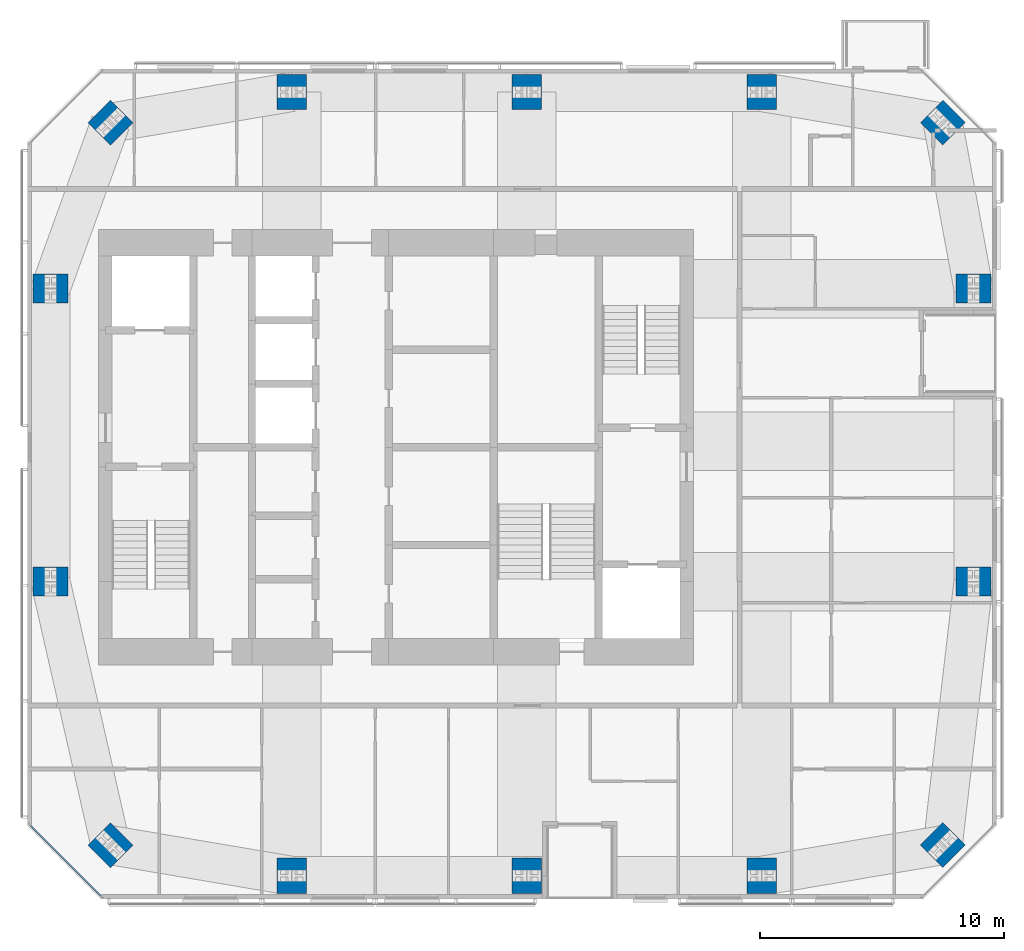
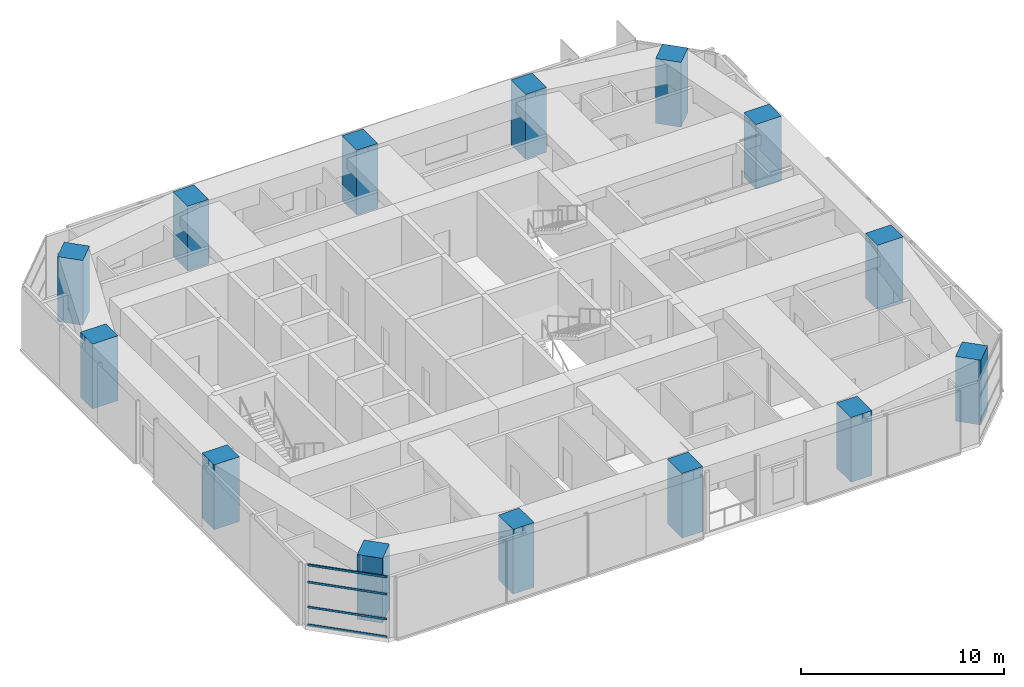
# One storey, part 1 of 20: 14 columns, 4 members, 1 element without a shape of its own.
"""IFC4 building model written with IfcOpenShell, lengths in metres."""

from ifc_helpers import new_model, si_unit, direction, frame, origin, origin_2d, place, context, subcontext, project, spatial, rectangle, extrude, material, material_profile, profile_set, type_object, element, aggregate, save


model = new_model("IFC4")

# Units and contexts
model_context = context("Model", 3, precision=1e-05, world=origin(), true_north=direction((0.0, 1.0)))
body_context = subcontext(model_context, "Body", "Model", "MODEL_VIEW")
ifc_project = project(units=[si_unit("LENGTHUNIT", "METRE"), si_unit("AREAUNIT", "SQUARE_METRE"), si_unit("VOLUMEUNIT", "CUBIC_METRE"), si_unit("PLANEANGLEUNIT", "RADIAN"), si_unit("MASSUNIT", "GRAM", prefix="KILO")], contexts=[model_context])

# Site, building, storey
site_placement = place(None, origin())
site = spatial("IfcSite", under=ifc_project, at=site_placement, CompositionType="ELEMENT")
building_placement = place(site_placement, origin())
building = spatial("IfcBuilding", under=site, at=building_placement, Name="Jalousie Tower", CompositionType="ELEMENT")
storey_placement = place(building_placement, frame((0.0, 0.0, 259.949951171875)))
storey = spatial("IfcBuildingStorey", under=building, at=storey_placement, Name="L71", CompositionType="ELEMENT", Elevation=259.949951171875)

# Columns
ifc_material_1 = material(Name="Concrete f'c 120 MPa", Category="concrete")
ifc_material_profile_1 = material_profile(ifc_material_1, rectangle(XDim=1.300048828125, YDim=1.300048828125, at=origin_2d()), Name="RC 1300x1300")
ifc_profile_set_1 = profile_set([ifc_material_profile_1], Name="Concrete f'c 120 MPa")
column_type_1 = type_object("IfcColumnType", Name="RC COLUMN 1300x1300", PredefinedType="COLUMN", material=ifc_profile_set_1)
for number, where, z_axis, x_axis, name in (
    (1, (20.20703125, 2.20703125, 0.0), (0.0, 0.0, 1.0), (0.707106781187, 0.707106781187, 0.0), "Column 01 L71"),
    (2, (54.29296875, 2.20703125, 0.0), (0.0, 0.0, 1.0), (0.707106781187, 0.707106781187, 0.0), "Column 05 L71"),
    (3, (54.29296875, 31.79296875, 0.0), (0.0, 0.0, 1.0), (0.707106781187, 0.707106781187, 0.0), "Column 08 L71"),
    (4, (20.20703125, 31.79296875, 0.0), (0.0, 0.0, 1.0), (0.707106781187, 0.707106781187, 0.0), "Column 12 L71"),
):
    element("IfcColumn", number, at=place(storey_placement, frame(where, z_axis=z_axis, x_axis=x_axis)), inside=storey, type_object=column_type_1, Name=name, PredefinedType="COLUMN", context=body_context, shape_type="SweptSolid", body=[
        extrude(rectangle(XDim=1.300048828125, YDim=1.300048828125, at=origin_2d()), origin(), (0.0, 0.0, 1.0), 3.900146484375),
    ])
ifc_material_2 = material(Name="Concrete f'c 120 MPa", Category="concrete")
ifc_material_profile_2 = material_profile(ifc_material_2, rectangle(XDim=1.449951171875, YDim=1.199951171875, at=origin_2d()), Name="RC 1450x1200")
ifc_profile_set_2 = profile_set([ifc_material_profile_2], Name="Concrete f'c 120 MPa")
column_type_2 = type_object("IfcColumnType", Name="RC COLUMN 1450x1200", PredefinedType="COLUMN", material=ifc_profile_set_2)
for number, where, z_axis, x_axis, name in (
    (5, (27.625, 0.949951171875, 0.0), (0.0, 0.0, 1.0), (0.0, 1.0, 0.0), "Column 02 L71"),
    (6, (37.25, 0.949951171875, 0.0), (0.0, 0.0, 1.0), (0.0, 1.0, 0.0), "Column 03 L71"),
    (7, (46.875, 0.949951171875, 0.0), (0.0, 0.0, 1.0), (0.0, 1.0, 0.0), "Column 04 L71"),
    (8, (55.550048828125, 13.0, 0.0), (0.0, 0.0, 1.0), (1.0, 0.0, 0.0), "Column 06 L71"),
    (9, (55.550048828125, 25.0, 0.0), (0.0, 0.0, 1.0), (1.0, 0.0, 0.0), "Column 07 L71"),
    (10, (46.875, 33.050048828125, 0.0), (0.0, 0.0, 1.0), (0.0, 1.0, 0.0), "Column 09 L71"),
    (11, (37.25, 33.050048828125, 0.0), (0.0, 0.0, 1.0), (0.0, 1.0, 0.0), "Column 10 L71"),
    (12, (27.625, 33.050048828125, 0.0), (0.0, 0.0, 1.0), (0.0, 1.0, 0.0), "Column 11 L71"),
    (13, (17.75, 25.0, 0.0), (0.0, 0.0, 1.0), (1.0, 0.0, 0.0), "Column 13 L71"),
    (14, (17.75, 13.0, 0.0), (0.0, 0.0, 1.0), (1.0, 0.0, 0.0), "Column 14 L71"),
):
    element("IfcColumn", number, at=place(storey_placement, frame(where, z_axis=z_axis, x_axis=x_axis)), inside=storey, type_object=column_type_2, Name=name, PredefinedType="COLUMN", context=body_context, shape_type="SweptSolid", body=[
        extrude(rectangle(XDim=1.449951171875, YDim=1.199951171875, at=origin_2d()), origin(), (0.0, 0.0, 1.0), 3.900146484375),
    ])

# Curtain wall, members
ifc_material_3 = material(Name="Aluminium curtain wall", Category="aluminium")
curtain_wall_type = type_object("IfcCurtainWallType", Name="PENTHOUSE CORNER WINDOW WALL", PredefinedType="USERDEFINED", material=ifc_material_3)
curtain_wall_placement = place(storey_placement, origin())
curtain_wall = element("IfcCurtainWall", 15, at=curtain_wall_placement, inside=storey, type_object=curtain_wall_type, Name="Penthouse Corner Window Wall L71 8", ObjectType="PENTHOUSE CORNER WINDOW WALL", PredefinedType="USERDEFINED")
ifc_material_4 = material(Name="Aluminium transom", Category="aluminium")
ifc_material_profile_3 = material_profile(ifc_material_4, rectangle(XDim=0.06005859375, YDim=0.125, at=origin_2d()), Name="TRANSOM 60x125")
ifc_profile_set_3 = profile_set([ifc_material_profile_3], Name="Aluminium transom")
member_type = type_object("IfcMemberType", Name="PENTHOUSE CORNER WINDOW WALL TRANSOM", PredefinedType="USERDEFINED", material=ifc_profile_set_3)
member_1_placement = place(storey_placement, frame((16.929931640625, 3.0087890625, 0.030029296875), z_axis=(0.707106781187, -0.707106781187, 0.0), x_axis=(0.707106781187, 0.707106781187, 0.0)))
member_1 = element("IfcMember", 16, at=member_1_placement, type_object=member_type, Name="CW-H transom 1.1", ObjectType="TRANSOM", PredefinedType="USERDEFINED", context=body_context, shape_type="SweptSolid", body=[
    extrude(rectangle(XDim=0.06005859375, YDim=0.125, at=origin_2d()), origin(), (0.0, 0.0, 1.0), 4.0712890625),
])
member_2_placement = place(storey_placement, frame((16.929931640625, 3.0087890625, 1.10009765625), z_axis=(0.707106781187, -0.707106781187, 0.0), x_axis=(0.707106781187, 0.707106781187, 0.0)))
member_2 = element("IfcMember", 17, at=member_2_placement, type_object=member_type, Name="CW-H transom 1.2", ObjectType="TRANSOM", PredefinedType="USERDEFINED", context=body_context, shape_type="SweptSolid", body=[
    extrude(rectangle(XDim=0.06005859375, YDim=0.125, at=origin_2d()), origin(), (0.0, 0.0, 1.0), 4.0712890625),
])
member_3_placement = place(storey_placement, frame((16.929931640625, 3.0087890625, 2.60009765625), z_axis=(0.707106781187, -0.707106781187, 0.0), x_axis=(0.707106781187, 0.707106781187, 0.0)))
member_3 = element("IfcMember", 18, at=member_3_placement, type_object=member_type, Name="CW-H transom 1.3", ObjectType="TRANSOM", PredefinedType="USERDEFINED", context=body_context, shape_type="SweptSolid", body=[
    extrude(rectangle(XDim=0.06005859375, YDim=0.125, at=origin_2d()), origin(), (0.0, 0.0, 1.0), 4.0712890625),
])
member_4_placement = place(storey_placement, frame((16.929931640625, 3.0087890625, 3.630126953125), z_axis=(0.707106781187, -0.707106781187, 0.0), x_axis=(0.707106781187, 0.707106781187, 0.0)))
member_4 = element("IfcMember", 19, at=member_4_placement, type_object=member_type, Name="CW-H transom 1.4", ObjectType="TRANSOM", PredefinedType="USERDEFINED", context=body_context, shape_type="SweptSolid", body=[
    extrude(rectangle(XDim=0.06005859375, YDim=0.125, at=origin_2d()), origin(), (0.0, 0.0, 1.0), 4.0712890625),
])
aggregate(curtain_wall, [member_1, member_2, member_3, member_4])

save(model, "model.ifc")
